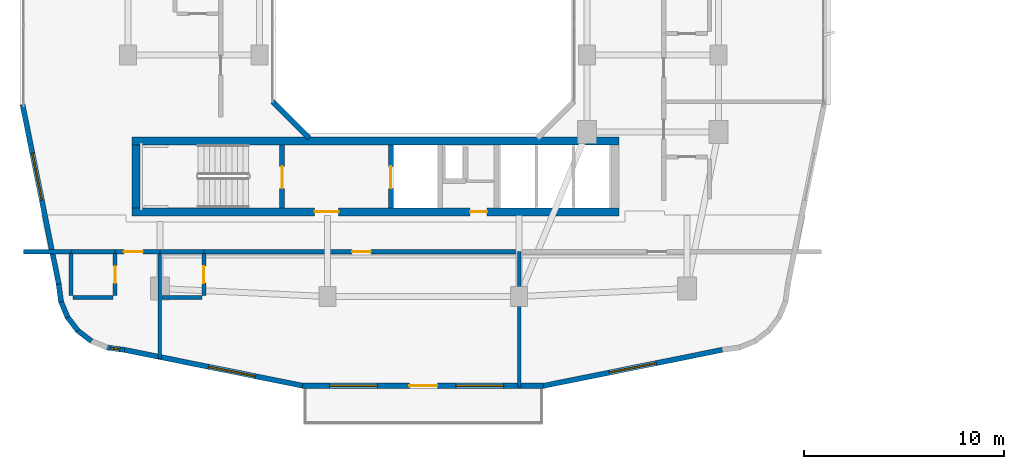
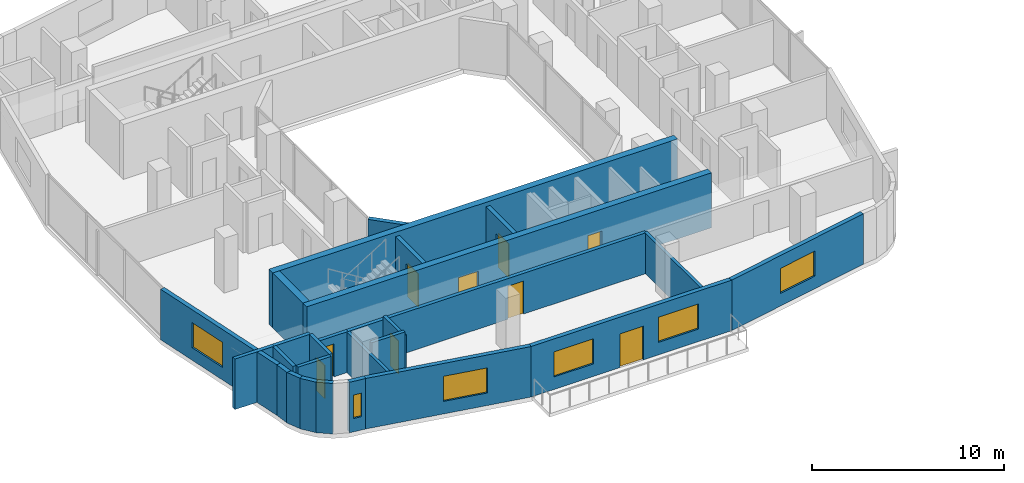
# One storey, part 11 of 26: 27 walls, 9 doors, 6 windows, 15 openings.
"""IFC4 building model written with IfcOpenShell, lengths in metres."""

from ifc_helpers import new_model, si_unit, derived_unit, direction, frame, frame_2d, origin, place, context, subcontext, project, spatial, rectangle, extrude, material, layer, layer_set, type_object, element, fill, save


model = new_model("IFC4")

# Units and contexts
model_context = context("Model", 3, precision=1e-05, world=origin(), true_north=direction((0.0, 1.0)))
body_context = subcontext(model_context, "Body", "Model", "MODEL_VIEW")
ifc_project = project(units=[si_unit("LENGTHUNIT", "METRE"), si_unit("AREAUNIT", "SQUARE_METRE"), si_unit("VOLUMEUNIT", "CUBIC_METRE"), si_unit("PLANEANGLEUNIT", "RADIAN"), si_unit("MASSUNIT", "GRAM", prefix="KILO"), derived_unit("THERMALTRANSMITTANCEUNIT", [(si_unit("POWERUNIT", "WATT"), 1), (si_unit("LENGTHUNIT", "METRE"), -2), (si_unit("THERMODYNAMICTEMPERATUREUNIT", "KELVIN"), -1)])], contexts=[model_context])

# Site, building, storey
site_placement = place(None, origin())
site = spatial("IfcSite", under=ifc_project, at=site_placement, CompositionType="ELEMENT")
building_placement = place(site_placement, origin())
building = spatial("IfcBuilding", under=site, at=building_placement, Name="Kivonza Crest Hotel", CompositionType="ELEMENT")
storey_placement = place(building_placement, frame((0.0, 0.0, 95.0)))
storey = spatial("IfcBuildingStorey", under=building, at=storey_placement, Name="L25", CompositionType="ELEMENT", Elevation=95.0)

# Walls
ifc_material_1 = material(Name="High-density acoustic masonry inter-tenancy wall", Category="masonry")
ifc_layer_1 = layer(ifc_material_1, 0.179931640625)
ifc_layer_set_1 = layer_set([ifc_layer_1], Name="High-density acoustic masonry inter-tenancy wall")
wall_type_1 = type_object("IfcWallType", Name="WL-ACOU-180", PredefinedType="SOLIDWALL", material=ifc_layer_set_1)
wall_1_placement = place(storey_placement, frame((7.800048828125, 6.299072265625, 0.0), z_axis=(0.0, 0.0, 1.0), x_axis=(0.0, 1.0, 0.0)))
element("IfcWall", 1, at=wall_1_placement, inside=storey, type_object=wall_type_1, Name="L25 interior partition WA-L25-T1S-DIV1", PredefinedType="SOLIDWALL", context=body_context, shape_type="SweptSolid", body=[
    extrude(rectangle(XDim=5.350830078125, YDim=0.179931640625, at=frame_2d((2.67529296875, 0.0))), origin(), (0.0, 0.0, 1.0), 2.594970703125),
])
wall_2_placement = place(storey_placement, frame((25.800048828125, 4.860107421875, 0.0), z_axis=(0.0, 0.0, 1.0), x_axis=(0.0, 1.0, 0.0)))
element("IfcWall", 2, at=wall_2_placement, inside=storey, type_object=wall_type_1, Name="L25 interior partition WA-L25-T1S-DIV2", PredefinedType="SOLIDWALL", context=body_context, shape_type="SweptSolid", body=[
    extrude(rectangle(XDim=6.789794921875, YDim=0.179931640625, at=frame_2d((3.39501953125, 0.0))), origin(), (0.0, 0.0, 1.0), 2.594970703125),
])
ifc_material_2 = material(Name="Autoclaved aerated concrete blockwork", Category="masonry")
ifc_layer_2 = layer(ifc_material_2, 0.219970703125)
ifc_layer_set_2 = layer_set([ifc_layer_2], Name="Autoclaved aerated concrete blockwork")
wall_type_2 = type_object("IfcWallType", Name="WL-ACOU-220", PredefinedType="SOLIDWALL", material=ifc_layer_set_2)
wall_3_placement = place(storey_placement, frame((0.9599609375, 11.64990234375, 0.0), z_axis=(0.0, 0.0, 1.0), x_axis=(1.0, 0.0, 0.0)))
element("IfcWall", 3, at=wall_3_placement, inside=storey, type_object=wall_type_2, Name="L25 interior partition WA-L25-S04-XCORR", PredefinedType="SOLIDWALL", context=body_context, shape_type="SweptSolid", body=[
    extrude(rectangle(XDim=2.39013671875, YDim=0.219970703125, at=frame_2d((1.195068359375, 0.0))), origin(), (0.0, 0.0, 1.0), 3.219970703125),
])
wall_4_placement = place(storey_placement, frame((3.35009765625, 11.64990234375, 0.0), z_axis=(0.0, 0.0, 1.0), x_axis=(1.0, 0.0, 0.0)))
element("IfcWall", 4, at=wall_4_placement, inside=storey, type_object=wall_type_2, Name="L25 interior partition WA-L25-S04-BCORR", PredefinedType="SOLIDWALL", context=body_context, shape_type="SweptSolid", body=[
    extrude(rectangle(XDim=2.199951171875, YDim=0.219970703125, at=frame_2d((1.10009765625, 0.0))), origin(), (0.0, 0.0, 1.0), 3.219970703125),
])

# Wall, opening, door
wall_5_placement = place(storey_placement, frame((5.550048828125, 11.64990234375, 0.0), z_axis=(0.0, 0.0, 1.0), x_axis=(1.0, 0.0, 0.0)))
wall_5 = element("IfcWall", 5, at=wall_5_placement, inside=storey, type_object=wall_type_2, Name="L25 interior partition WA-L25-S04-MCORR", PredefinedType="SOLIDWALL", context=body_context, shape_type="SweptSolid", body=[
    extrude(rectangle(XDim=2.25, YDim=0.219970703125, at=frame_2d((1.125, 0.0))), origin(), (0.0, 0.0, 1.0), 2.594970703125),
])
opening_1_placement = place(wall_5_placement, frame((0.43994140625, 0.0, 0.0)))
opening_1 = element("IfcOpeningElement", 6, at=opening_1_placement, cuts=wall_5, Name="Opening DU-60", PredefinedType="OPENING", context=body_context, shape_type="SweptSolid", body=[
    extrude(rectangle(XDim=0.949951171875, YDim=2.10009765625, at=frame_2d((0.47509765625, 1.050048828125))), frame((0.0, 0.1201171875, 0.0), z_axis=(0.0, -1.0, 0.0), x_axis=(1.0, 0.0, 0.0)), (0.0, 0.0, 1.0), 0.239990234375),
])
ifc_material_3 = material(Name="Hardwood timber oak", Category="wood")
door_type_1 = type_object("IfcDoorType", Name="DR-UNIT-950", OperationType="NOTDEFINED", PredefinedType="DOOR", material=ifc_material_3)
door_1_placement = place(opening_1_placement, frame((0.949951171875, 0.0, 0.0), z_axis=(0.0, 0.0, 1.0), x_axis=(-1.0, 0.0, 0.0)))
door_1 = element("IfcDoor", 7, at=door_1_placement, inside=storey, type_object=door_type_1, Name="L25 S04 guest unit entrance fire door", OperationType="SINGLE_SWING_RIGHT", OverallHeight=2.10009765625, OverallWidth=0.949951171875, PredefinedType="DOOR", context=body_context, shape_type="SweptSolid", body=[
    extrude(rectangle(XDim=0.949951171875, YDim=2.10009765625, at=frame_2d((0.47509765625, 1.050048828125))), frame((0.0, 0.02490234375, 0.0), z_axis=(0.0, -1.0, 0.0), x_axis=(1.0, 0.0, 0.0)), (0.0, 0.0, 1.0), 0.050048828125),
])
fill(opening_1, door_1)

# Wall
wall_6_placement = place(storey_placement, frame((7.800048828125, 11.64990234375, 0.0), z_axis=(0.0, 0.0, 1.0), x_axis=(1.0, 0.0, 0.0)))
element("IfcWall", 8, at=wall_6_placement, inside=storey, type_object=wall_type_2, Name="L25 interior partition WA-L25-S05-BCORR", PredefinedType="SOLIDWALL", context=body_context, shape_type="SweptSolid", body=[
    extrude(rectangle(XDim=2.199951171875, YDim=0.219970703125, at=frame_2d((1.10009765625, 0.0))), origin(), (0.0, 0.0, 1.0), 2.594970703125),
])

# Wall, opening, door
wall_7_placement = place(storey_placement, frame((10.0, 11.64990234375, 0.0), z_axis=(0.0, 0.0, 1.0), x_axis=(1.0, 0.0, 0.0)))
wall_7 = element("IfcWall", 9, at=wall_7_placement, inside=storey, type_object=wall_type_2, Name="L25 interior partition WA-L25-S05-MCORR", PredefinedType="SOLIDWALL", context=body_context, shape_type="SweptSolid", body=[
    extrude(rectangle(XDim=15.800048828125, YDim=0.219970703125, at=frame_2d((7.89990234375, 0.0))), origin(), (0.0, 0.0, 1.0), 2.594970703125),
])
opening_2_placement = place(wall_7_placement, frame((7.425048828125, 0.0, 0.0)))
opening_2 = element("IfcOpeningElement", 10, at=opening_2_placement, cuts=wall_7, Name="Opening DU-60", PredefinedType="OPENING", context=body_context, shape_type="SweptSolid", body=[
    extrude(rectangle(XDim=0.949951171875, YDim=2.10009765625, at=frame_2d((0.47509765625, 1.050048828125))), frame((0.0, 0.1201171875, 0.0), z_axis=(0.0, -1.0, 0.0), x_axis=(1.0, 0.0, 0.0)), (0.0, 0.0, 1.0), 0.239990234375),
])
door_2_placement = place(opening_2_placement, frame((0.949951171875, 0.0, 0.0), z_axis=(0.0, 0.0, 1.0), x_axis=(-1.0, 0.0, 0.0)))
door_2 = element("IfcDoor", 11, at=door_2_placement, inside=storey, type_object=door_type_1, Name="L25 S05 guest unit entrance fire door", OperationType="SINGLE_SWING_LEFT", OverallHeight=2.10009765625, OverallWidth=0.949951171875, PredefinedType="DOOR", context=body_context, shape_type="SweptSolid", body=[
    extrude(rectangle(XDim=0.949951171875, YDim=2.10009765625, at=frame_2d((0.47509765625, 1.050048828125))), frame((0.0, 0.02490234375, 0.0), z_axis=(0.0, -1.0, 0.0), x_axis=(1.0, 0.0, 0.0)), (0.0, 0.0, 1.0), 0.050048828125),
])
fill(opening_2, door_2)

# Wall, openings, doors
ifc_material_4 = material(Name="Concrete C50/60", Category="concrete")
ifc_layer_3 = layer(ifc_material_4, 0.39990234375)
ifc_layer_set_3 = layer_set([ifc_layer_3], Name="Concrete C50/60")
wall_type_3 = type_object("IfcWallType", Name="WL-CORE-400", PredefinedType="SHEAR", material=ifc_layer_set_3)
wall_8_placement = place(storey_placement, frame((6.39990234375, 13.639892578125, 0.0), z_axis=(0.0, 0.0, 1.0), x_axis=(1.0, 0.0, 0.0)))
wall_8 = element("IfcWall", 12, at=wall_8_placement, inside=storey, type_object=wall_type_3, Name="Core wall T1-S South L25", PredefinedType="SHEAR", context=body_context, shape_type="SweptSolid", body=[
    extrude(rectangle(XDim=24.400146484375, YDim=0.39990234375, at=frame_2d((12.2001953125, 0.0))), origin(), (0.0, 0.0, 1.0), 3.5),
])
opening_3_placement = place(wall_8_placement, frame((9.14990234375, 0.0, 0.0)))
opening_3 = element("IfcOpeningElement", 13, at=opening_3_placement, cuts=wall_8, Name="Opening DF-60", PredefinedType="OPENING", context=body_context, shape_type="SweptSolid", body=[
    extrude(rectangle(XDim=1.199951171875, YDim=2.14990234375, at=frame_2d((0.60009765625, 1.074951171875))), frame((0.0, 0.2099609375, 0.0), z_axis=(0.0, -1.0, 0.0), x_axis=(1.0, 0.0, 0.0)), (0.0, 0.0, 1.0), 0.419921875),
])
opening_4_placement = place(wall_8_placement, frame((16.93994140625, 0.0, 0.0)))
opening_4 = element("IfcOpeningElement", 14, at=opening_4_placement, cuts=wall_8, Name="Opening DF-60R", PredefinedType="OPENING", context=body_context, shape_type="SweptSolid", body=[
    extrude(rectangle(XDim=0.85009765625, YDim=2.10009765625, at=frame_2d((0.425048828125, 1.050048828125))), frame((0.0, 0.2099609375, 0.0), z_axis=(0.0, -1.0, 0.0), x_axis=(1.0, 0.0, 0.0)), (0.0, 0.0, 1.0), 0.419921875),
])
door_type_2 = type_object("IfcDoorType", Name="DR-FD60-1200", OperationType="NOTDEFINED", PredefinedType="DOOR", material=ifc_material_3)
door_3_placement = place(opening_3_placement, frame((1.199951171875, 0.0, 0.0), z_axis=(0.0, 0.0, 1.0), x_axis=(-1.0, 0.0, 0.0)))
door_3 = element("IfcDoor", 15, at=door_3_placement, inside=storey, type_object=door_type_2, Name="L25 T1-S firefighting lobby fire door", OperationType="SINGLE_SWING_LEFT", OverallHeight=2.14990234375, OverallWidth=1.199951171875, PredefinedType="DOOR", context=body_context, shape_type="SweptSolid", body=[
    extrude(rectangle(XDim=1.199951171875, YDim=2.14990234375, at=frame_2d((0.60009765625, 1.074951171875))), frame((0.0, 0.02490234375, 0.0), z_axis=(0.0, -1.0, 0.0), x_axis=(1.0, 0.0, 0.0)), (0.0, 0.0, 1.0), 0.050048828125),
])
fill(opening_3, door_3)
door_type_3 = type_object("IfcDoorType", Name="DR-FD60-850", OperationType="NOTDEFINED", PredefinedType="DOOR", material=ifc_material_3)
door_4_placement = place(opening_4_placement, frame((0.85009765625, 0.0, 0.0), z_axis=(0.0, 0.0, 1.0), x_axis=(-1.0, 0.0, 0.0)))
door_4 = element("IfcDoor", 16, at=door_4_placement, inside=storey, type_object=door_type_3, Name="L25 T1-S core room door", OperationType="SINGLE_SWING_RIGHT", OverallHeight=2.10009765625, OverallWidth=0.85009765625, PredefinedType="DOOR", context=body_context, shape_type="SweptSolid", body=[
    extrude(rectangle(XDim=0.85009765625, YDim=2.10009765625, at=frame_2d((0.425048828125, 1.050048828125))), frame((0.0, 0.02490234375, 0.0), z_axis=(0.0, -1.0, 0.0), x_axis=(1.0, 0.0, 0.0)), (0.0, 0.0, 1.0), 0.050048828125),
])
fill(opening_4, door_4)

# Walls
wall_9_placement = place(storey_placement, frame((6.39990234375, 17.199951171875, 0.0), z_axis=(0.0, 0.0, 1.0), x_axis=(1.0, 0.0, 0.0)))
element("IfcWall", 17, at=wall_9_placement, inside=storey, type_object=wall_type_3, Name="Core wall T1-S North L25", PredefinedType="SHEAR", context=body_context, shape_type="SweptSolid", body=[
    extrude(rectangle(XDim=24.400146484375, YDim=0.39990234375, at=frame_2d((12.2001953125, 0.0))), origin(), (0.0, 0.0, 1.0), 3.5),
])
wall_10_placement = place(storey_placement, frame((6.60009765625, 13.840087890625, 0.0), z_axis=(0.0, 0.0, 1.0), x_axis=(0.0, 1.0, 0.0)))
element("IfcWall", 18, at=wall_10_placement, inside=storey, type_object=wall_type_3, Name="Core wall T1-S West L25", PredefinedType="SHEAR", context=body_context, shape_type="SweptSolid", body=[
    extrude(rectangle(XDim=3.159912109375, YDim=0.39990234375, at=frame_2d((1.580078125, 0.0))), origin(), (0.0, 0.0, 1.0), 3.5),
])
ifc_material_5 = material(Name="Precast concrete C40/50", Category="concrete")
ifc_layer_4 = layer(ifc_material_5, 0.260009765625)
ifc_layer_set_4 = layer_set([ifc_layer_4], Name="Precast concrete C40/50")
wall_type_4 = type_object("IfcWallType", Name="WL-EXT-260", PredefinedType="STANDARD", material=ifc_layer_set_4)
wall_11_placement = place(storey_placement, frame((2.72802734375, 10.02490234375, 0.0), z_axis=(0.0, 0.0, 1.0), x_axis=(0.130953706898, -0.991388484223, 0.0)))
element("IfcWall", 19, at=wall_11_placement, inside=storey, type_object=wall_type_4, Name="L25 T1 exterior insulated wall 1", PredefinedType="STANDARD", context=body_context, shape_type="SweptSolid", body=[
    extrude(rectangle(XDim=0.885498046875, YDim=0.260009765625, at=frame_2d((0.44287109375, 0.0))), origin(), (0.0, 0.0, 1.0), 3.219970703125),
])
wall_12_placement = place(storey_placement, frame((2.825927734375, 9.193115234375, 0.0), z_axis=(0.0, 0.0, 1.0), x_axis=(0.383290660547, -0.923627776508, 0.0)))
element("IfcWall", 20, at=wall_12_placement, inside=storey, type_object=wall_type_4, Name="L25 T1 exterior insulated wall 2", PredefinedType="STANDARD", context=body_context, shape_type="SweptSolid", body=[
    extrude(rectangle(XDim=0.9033203125, YDim=0.260009765625, at=frame_2d((0.45166015625, 0.0))), origin(), (0.0, 0.0, 1.0), 3.219970703125),
])
wall_13_placement = place(storey_placement, frame((3.14404296875, 8.39892578125, 0.0), z_axis=(0.0, 0.0, 1.0), x_axis=(0.608624690463, -0.793458244748, 0.0)))
element("IfcWall", 21, at=wall_13_placement, inside=storey, type_object=wall_type_4, Name="L25 T1 exterior insulated wall 3", PredefinedType="STANDARD", context=body_context, shape_type="SweptSolid", body=[
    extrude(rectangle(XDim=0.902099609375, YDim=0.260009765625, at=frame_2d((0.451171875, 0.0))), origin(), (0.0, 0.0, 1.0), 3.219970703125),
])
wall_14_placement = place(storey_placement, frame((3.655029296875, 7.714111328125, 0.0), z_axis=(0.0, 0.0, 1.0), x_axis=(0.793558456666, -0.608494022858, 0.0)))
element("IfcWall", 22, at=wall_14_placement, inside=storey, type_object=wall_type_4, Name="L25 T1 exterior insulated wall 4", PredefinedType="STANDARD", context=body_context, shape_type="SweptSolid", body=[
    extrude(rectangle(XDim=0.90234375, YDim=0.260009765625, at=frame_2d((0.451171875, 0.0))), origin(), (0.0, 0.0, 1.0), 3.219970703125),
])

# Wall, opening, window
wall_15_placement = place(storey_placement, frame((5.112060546875, 6.847900390625, 0.0), z_axis=(0.0, 0.0, 1.0), x_axis=(0.991487658083, -0.130200706103, 0.0)))
wall_15 = element("IfcWall", 23, at=wall_15_placement, inside=storey, type_object=wall_type_4, Name="L25 T1 exterior insulated wall 6", PredefinedType="STANDARD", context=body_context, shape_type="SweptSolid", body=[
    extrude(rectangle(XDim=0.920654296875, YDim=0.260009765625, at=frame_2d((0.46044921875, 0.0))), origin(), (0.0, 0.0, 1.0), 3.219970703125),
])
opening_5_placement = place(wall_15_placement, frame((0.235107421875, 0.0, 0.85009765625)))
opening_5 = element("IfcOpeningElement", 24, at=opening_5_placement, cuts=wall_15, Name="Opening WN-11", PredefinedType="OPENING", context=body_context, shape_type="SweptSolid", body=[
    extrude(rectangle(XDim=0.449951171875, YDim=1.5, at=frame_2d((0.22509765625, 0.75))), frame((0.0, 0.14013671875, 0.0), z_axis=(0.0, -1.0, 0.0), x_axis=(1.0, 0.0, 0.0)), (0.0, 0.0, 1.0), 0.280029296875),
])
ifc_material_6 = material(Name="Thermally broken bronze aluminium and low-E double glazing", Category="aluminium")
window_type_1 = type_object("IfcWindowType", Name="WN-045x150", PartitioningType="SINGLE_PANEL", PredefinedType="WINDOW", material=ifc_material_6)
window_1_placement = place(opening_5_placement, origin())
window_1 = element("IfcWindow", 25, at=window_1_placement, inside=storey, type_object=window_type_1, Name="L25 corner vision window 2", OverallHeight=1.5, OverallWidth=0.449951171875, PartitioningType="SINGLE_PANEL", PredefinedType="WINDOW", context=body_context, shape_type="SweptSolid", body=[
    extrude(rectangle(XDim=0.449951171875, YDim=1.5, at=frame_2d((0.22509765625, 0.75))), frame((0.0, 0.030029296875, 0.0), z_axis=(0.0, -1.0, 0.0), x_axis=(1.0, 0.0, 0.0)), (0.0, 0.0, 1.0), 0.06005859375),
])
fill(opening_5, window_1)

wall_16_placement = place(storey_placement, frame((6.01806640625, 6.72900390625, 0.0), z_axis=(0.0, 0.0, 1.0), x_axis=(0.980317172899, -0.197429077186, 0.0)))
wall_16 = element("IfcWall", 26, at=wall_16_placement, inside=storey, type_object=wall_type_4, Name="L25 T1 exterior insulated wall 7", PredefinedType="STANDARD", context=body_context, shape_type="SweptSolid", body=[
    extrude(rectangle(XDim=9.117431640625, YDim=0.260009765625, at=frame_2d((4.55859375, 0.0))), origin(), (0.0, 0.0, 1.0), 3.219970703125),
])
opening_6_placement = place(wall_16_placement, frame((4.304931640625, 0.0, 0.800048828125)))
opening_6 = element("IfcOpeningElement", 27, at=opening_6_placement, cuts=wall_16, Name="Opening WN-05", PredefinedType="OPENING", context=body_context, shape_type="SweptSolid", body=[
    extrude(rectangle(XDim=2.39990234375, YDim=1.60009765625, at=frame_2d((1.199951171875, 0.800048828125))), frame((0.0, 0.14013671875, 0.0), z_axis=(0.0, -1.0, 0.0), x_axis=(1.0, 0.0, 0.0)), (0.0, 0.0, 1.0), 0.280029296875),
])
window_type_2 = type_object("IfcWindowType", Name="WN-240x160", PartitioningType="TRIPLE_PANEL_VERTICAL", PredefinedType="WINDOW", material=ifc_material_6)
window_2_placement = place(opening_6_placement, origin())
window_2 = element("IfcWindow", 28, at=window_2_placement, inside=storey, type_object=window_type_2, Name="L25 T1 facade window 7", OverallHeight=1.60009765625, OverallWidth=2.39990234375, PartitioningType="SINGLE_PANEL", PredefinedType="WINDOW", context=body_context, shape_type="SweptSolid", body=[
    extrude(rectangle(XDim=2.39990234375, YDim=1.60009765625, at=frame_2d((1.199951171875, 0.800048828125))), frame((0.0, 0.030029296875, 0.0), z_axis=(0.0, -1.0, 0.0), x_axis=(1.0, 0.0, 0.0)), (0.0, 0.0, 1.0), 0.06005859375),
])
fill(opening_6, window_2)

# Wall, openings, door, windows
wall_17_placement = place(storey_placement, frame((14.9150390625, 4.929931640625, 0.0), z_axis=(0.0, 0.0, 1.0), x_axis=(1.0, 0.0, 0.0)))
wall_17 = element("IfcWall", 29, at=wall_17_placement, inside=storey, type_object=wall_type_4, Name="L25 T1 exterior insulated wall 8", PredefinedType="STANDARD", context=body_context, shape_type="SweptSolid", body=[
    extrude(rectangle(XDim=12.135009765625, YDim=0.260009765625, at=frame_2d((6.0673828125, 0.0))), origin(), (0.0, 0.0, 1.0), 3.219970703125),
])
opening_7_placement = place(wall_17_placement, frame((5.385009765625, 0.0, 0.0)))
opening_7 = element("IfcOpeningElement", 30, at=opening_7_placement, cuts=wall_17, Name="Opening DT-140", PredefinedType="OPENING", context=body_context, shape_type="SweptSolid", body=[
    extrude(rectangle(XDim=1.39990234375, YDim=2.14990234375, at=frame_2d((0.699951171875, 1.074951171875))), frame((0.0, 0.14013671875, 0.0), z_axis=(0.0, -1.0, 0.0), x_axis=(1.0, 0.0, 0.0)), (0.0, 0.0, 1.0), 0.280029296875),
])
opening_8_placement = place(wall_17_placement, frame((1.386962890625, 0.0, 0.800048828125)))
opening_8 = element("IfcOpeningElement", 31, at=opening_8_placement, cuts=wall_17, Name="Opening WN-05", PredefinedType="OPENING", context=body_context, shape_type="SweptSolid", body=[
    extrude(rectangle(XDim=2.39990234375, YDim=1.60009765625, at=frame_2d((1.199951171875, 0.800048828125))), frame((0.0, 0.14013671875, 0.0), z_axis=(0.0, -1.0, 0.0), x_axis=(1.0, 0.0, 0.0)), (0.0, 0.0, 1.0), 0.280029296875),
])
opening_9_placement = place(wall_17_placement, frame((7.7099609375, 0.0, 0.800048828125)))
opening_9 = element("IfcOpeningElement", 32, at=opening_9_placement, cuts=wall_17, Name="Opening WN-05", PredefinedType="OPENING", context=body_context, shape_type="SweptSolid", body=[
    extrude(rectangle(XDim=2.39990234375, YDim=1.60009765625, at=frame_2d((1.199951171875, 0.800048828125))), frame((0.0, 0.14013671875, 0.0), z_axis=(0.0, -1.0, 0.0), x_axis=(1.0, 0.0, 0.0)), (0.0, 0.0, 1.0), 0.280029296875),
])
ifc_material_7 = material(Name="Anodised bronze aluminium and laminated safety glass", Category="aluminium")
door_type_4 = type_object("IfcDoorType", Name="DR-TERR-1400", OperationType="NOTDEFINED", PredefinedType="DOOR", material=ifc_material_7)
door_5_placement = place(opening_7_placement, frame((1.39990234375, 0.0, 0.0), z_axis=(0.0, 0.0, 1.0), x_axis=(-1.0, 0.0, 0.0)))
door_5 = element("IfcDoor", 33, at=door_5_placement, inside=storey, type_object=door_type_4, Name="L25 South setback terrace door", OperationType="DOUBLE_DOOR_SINGLE_SWING", OverallHeight=2.14990234375, OverallWidth=1.39990234375, PredefinedType="DOOR", context=body_context, shape_type="SweptSolid", body=[
    extrude(rectangle(XDim=1.39990234375, YDim=2.14990234375, at=frame_2d((0.699951171875, 1.074951171875))), frame((0.0, 0.02490234375, 0.0), z_axis=(0.0, -1.0, 0.0), x_axis=(1.0, 0.0, 0.0)), (0.0, 0.0, 1.0), 0.050048828125),
])
fill(opening_7, door_5)
window_3_placement = place(opening_8_placement, origin())
window_3 = element("IfcWindow", 34, at=window_3_placement, inside=storey, type_object=window_type_2, Name="L25 T1 facade window 8 bay 1", OverallHeight=1.60009765625, OverallWidth=2.39990234375, PartitioningType="SINGLE_PANEL", PredefinedType="WINDOW", context=body_context, shape_type="SweptSolid", body=[
    extrude(rectangle(XDim=2.39990234375, YDim=1.60009765625, at=frame_2d((1.199951171875, 0.800048828125))), frame((0.0, 0.030029296875, 0.0), z_axis=(0.0, -1.0, 0.0), x_axis=(1.0, 0.0, 0.0)), (0.0, 0.0, 1.0), 0.06005859375),
])
fill(opening_8, window_3)
window_4_placement = place(opening_9_placement, origin())
window_4 = element("IfcWindow", 35, at=window_4_placement, inside=storey, type_object=window_type_2, Name="L25 T1 facade window 8 bay 2", OverallHeight=1.60009765625, OverallWidth=2.39990234375, PartitioningType="SINGLE_PANEL", PredefinedType="WINDOW", context=body_context, shape_type="SweptSolid", body=[
    extrude(rectangle(XDim=2.39990234375, YDim=1.60009765625, at=frame_2d((1.199951171875, 0.800048828125))), frame((0.0, 0.030029296875, 0.0), z_axis=(0.0, -1.0, 0.0), x_axis=(1.0, 0.0, 0.0)), (0.0, 0.0, 1.0), 0.06005859375),
])
fill(opening_9, window_4)

# Wall, opening, window
wall_18_placement = place(storey_placement, frame((27.009033203125, 4.922119140625, 0.0), z_axis=(0.0, 0.0, 1.0), x_axis=(0.980321298532, 0.197408590603, 0.0)))
wall_18 = element("IfcWall", 36, at=wall_18_placement, inside=storey, type_object=wall_type_4, Name="L25 T1 exterior insulated wall 9", PredefinedType="STANDARD", context=body_context, shape_type="SweptSolid", body=[
    extrude(rectangle(XDim=9.153076171875, YDim=0.260009765625, at=frame_2d((4.57666015625, 0.0))), origin(), (0.0, 0.0, 1.0), 3.219970703125),
])
opening_10_placement = place(wall_18_placement, frame((3.376953125, 0.0, 0.800048828125)))
opening_10 = element("IfcOpeningElement", 37, at=opening_10_placement, cuts=wall_18, Name="Opening WN-05", PredefinedType="OPENING", context=body_context, shape_type="SweptSolid", body=[
    extrude(rectangle(XDim=2.39990234375, YDim=1.60009765625, at=frame_2d((1.199951171875, 0.800048828125))), frame((0.0, 0.14013671875, 0.0), z_axis=(0.0, -1.0, 0.0), x_axis=(1.0, 0.0, 0.0)), (0.0, 0.0, 1.0), 0.280029296875),
])
window_5_placement = place(opening_10_placement, origin())
window_5 = element("IfcWindow", 38, at=window_5_placement, inside=storey, type_object=window_type_2, Name="L25 T1 facade window 9", OverallHeight=1.60009765625, OverallWidth=2.39990234375, PartitioningType="SINGLE_PANEL", PredefinedType="WINDOW", context=body_context, shape_type="SweptSolid", body=[
    extrude(rectangle(XDim=2.39990234375, YDim=1.60009765625, at=frame_2d((1.199951171875, 0.800048828125))), frame((0.0, 0.030029296875, 0.0), z_axis=(0.0, -1.0, 0.0), x_axis=(1.0, 0.0, 0.0)), (0.0, 0.0, 1.0), 0.06005859375),
])
fill(opening_10, window_5)

wall_19_placement = place(storey_placement, frame((0.916015625, 19.02001953125, 0.0), z_axis=(0.0, 0.0, 1.0), x_axis=(0.197435082048, -0.980315963543, 0.0)))
wall_19 = element("IfcWall", 39, at=wall_19_placement, inside=storey, type_object=wall_type_4, Name="L25 T1 exterior insulated wall 36", PredefinedType="STANDARD", context=body_context, shape_type="SweptSolid", body=[
    extrude(rectangle(XDim=9.1826171875, YDim=0.260009765625, at=frame_2d((4.59130859375, 0.0))), origin(), (0.0, 0.0, 1.0), 3.219970703125),
])
opening_11_placement = place(wall_19_placement, frame((2.4970703125, 0.0, 0.800048828125)))
opening_11 = element("IfcOpeningElement", 40, at=opening_11_placement, cuts=wall_19, Name="Opening WN-05", PredefinedType="OPENING", context=body_context, shape_type="SweptSolid", body=[
    extrude(rectangle(XDim=2.39990234375, YDim=1.60009765625, at=frame_2d((1.199951171875, 0.800048828125))), frame((0.0, 0.14013671875, 0.0), z_axis=(0.0, -1.0, 0.0), x_axis=(1.0, 0.0, 0.0)), (0.0, 0.0, 1.0), 0.280029296875),
])
window_6_placement = place(opening_11_placement, origin())
window_6 = element("IfcWindow", 41, at=window_6_placement, inside=storey, type_object=window_type_2, Name="L25 T1 facade window 36", OverallHeight=1.60009765625, OverallWidth=2.39990234375, PartitioningType="SINGLE_PANEL", PredefinedType="WINDOW", context=body_context, shape_type="SweptSolid", body=[
    extrude(rectangle(XDim=2.39990234375, YDim=1.60009765625, at=frame_2d((1.199951171875, 0.800048828125))), frame((0.0, 0.030029296875, 0.0), z_axis=(0.0, -1.0, 0.0), x_axis=(1.0, 0.0, 0.0)), (0.0, 0.0, 1.0), 0.06005859375),
])
fill(opening_11, window_6)

# Wall
wall_20_placement = place(storey_placement, frame((13.444091796875, 19.172119140625, 0.0), z_axis=(0.0, 0.0, 1.0), x_axis=(0.707059717605, -0.707153841636, 0.0)))
element("IfcWall", 42, at=wall_20_placement, inside=storey, type_object=wall_type_4, Name="L25 T1 light-well exterior wall 8", PredefinedType="STANDARD", context=body_context, shape_type="SweptSolid", body=[
    extrude(rectangle(XDim=2.59375, YDim=0.260009765625, at=frame_2d((1.296875, 0.0))), origin(), (0.0, 0.0, 1.0), 3.219970703125),
])

# Wall, opening, door
ifc_material_8 = material(Name="Moisture-resistant plumbing chase partition wall", Category="gypsum")
ifc_layer_5 = layer(ifc_material_8, 0.199951171875)
ifc_layer_set_5 = layer_set([ifc_layer_5], Name="Moisture-resistant plumbing chase partition wall")
wall_type_5 = type_object("IfcWallType", Name="WL-PLUMB-200", PredefinedType="PLUMBINGWALL", material=ifc_layer_set_5)
wall_21_placement = place(storey_placement, frame((5.550048828125, 9.449951171875, 0.0), z_axis=(0.0, 0.0, 1.0), x_axis=(0.0, 1.0, 0.0)))
wall_21 = element("IfcWall", 43, at=wall_21_placement, inside=storey, type_object=wall_type_5, Name="L25 interior partition WW-L25-S04-BV", PredefinedType="PLUMBINGWALL", context=body_context, shape_type="SweptSolid", body=[
    extrude(rectangle(XDim=2.10009765625, YDim=0.199951171875, at=frame_2d((1.050048828125, 0.0))), origin(), (0.0, 0.0, 1.0), 3.219970703125),
])
opening_12_placement = place(wall_21_placement, frame((0.625, 0.0, 0.0)))
opening_12 = element("IfcOpeningElement", 44, at=opening_12_placement, cuts=wall_21, Name="Opening DI-85", PredefinedType="OPENING", context=body_context, shape_type="SweptSolid", body=[
    extrude(rectangle(XDim=0.85009765625, YDim=2.10009765625, at=frame_2d((0.425048828125, 1.050048828125))), frame((0.0, 0.10986328125, 0.0), z_axis=(0.0, -1.0, 0.0), x_axis=(1.0, 0.0, 0.0)), (0.0, 0.0, 1.0), 0.219970703125),
])
door_type_5 = type_object("IfcDoorType", Name="DR-INT-850", OperationType="NOTDEFINED", PredefinedType="DOOR", material=ifc_material_3)
door_6_placement = place(opening_12_placement, frame((0.85009765625, 0.0, 0.0), z_axis=(0.0, 0.0, 1.0), x_axis=(-1.0, 0.0, 0.0)))
door_6 = element("IfcDoor", 45, at=door_6_placement, inside=storey, type_object=door_type_5, Name="L25 S04 en-suite bathroom door", OperationType="SINGLE_SWING_LEFT", OverallHeight=2.10009765625, OverallWidth=0.85009765625, PredefinedType="DOOR", context=body_context, shape_type="SweptSolid", body=[
    extrude(rectangle(XDim=0.85009765625, YDim=2.10009765625, at=frame_2d((0.425048828125, 1.050048828125))), frame((0.0, 0.02490234375, 0.0), z_axis=(0.0, -1.0, 0.0), x_axis=(1.0, 0.0, 0.0)), (0.0, 0.0, 1.0), 0.050048828125),
])
fill(opening_12, door_6)

# Walls
wall_22_placement = place(storey_placement, frame((3.449951171875, 9.35009765625, 0.0), z_axis=(0.0, 0.0, 1.0), x_axis=(1.0, 0.0, 0.0)))
element("IfcWall", 46, at=wall_22_placement, inside=storey, type_object=wall_type_5, Name="L25 interior partition WW-L25-S04-BH", PredefinedType="PLUMBINGWALL", context=body_context, shape_type="SweptSolid", body=[
    extrude(rectangle(XDim=2.0, YDim=0.199951171875, at=frame_2d((1.0, 0.0))), origin(), (0.0, 0.0, 1.0), 3.219970703125),
])
wall_23_placement = place(storey_placement, frame((3.35009765625, 9.449951171875, 0.0), z_axis=(0.0, 0.0, 1.0), x_axis=(0.0, 1.0, 0.0)))
element("IfcWall", 47, at=wall_23_placement, inside=storey, type_object=wall_type_5, Name="L25 interior partition WW-L25-S04-BVW", PredefinedType="PLUMBINGWALL", context=body_context, shape_type="SweptSolid", body=[
    extrude(rectangle(XDim=2.10009765625, YDim=0.199951171875, at=frame_2d((1.050048828125, 0.0))), origin(), (0.0, 0.0, 1.0), 3.219970703125),
])

# Wall, opening, door
wall_24_placement = place(storey_placement, frame((10.0, 9.449951171875, 0.0), z_axis=(0.0, 0.0, 1.0), x_axis=(0.0, 1.0, 0.0)))
wall_24 = element("IfcWall", 48, at=wall_24_placement, inside=storey, type_object=wall_type_5, Name="L25 interior partition WW-L25-S05-BV", PredefinedType="PLUMBINGWALL", context=body_context, shape_type="SweptSolid", body=[
    extrude(rectangle(XDim=2.10009765625, YDim=0.199951171875, at=frame_2d((1.050048828125, 0.0))), origin(), (0.0, 0.0, 1.0), 2.8349609375),
])
opening_13_placement = place(wall_24_placement, frame((0.625, 0.0, 0.0)))
opening_13 = element("IfcOpeningElement", 49, at=opening_13_placement, cuts=wall_24, Name="Opening DI-85", PredefinedType="OPENING", context=body_context, shape_type="SweptSolid", body=[
    extrude(rectangle(XDim=0.85009765625, YDim=2.10009765625, at=frame_2d((0.425048828125, 1.050048828125))), frame((0.0, 0.10986328125, 0.0), z_axis=(0.0, -1.0, 0.0), x_axis=(1.0, 0.0, 0.0)), (0.0, 0.0, 1.0), 0.219970703125),
])
door_7_placement = place(opening_13_placement, frame((0.85009765625, 0.0, 0.0), z_axis=(0.0, 0.0, 1.0), x_axis=(-1.0, 0.0, 0.0)))
door_7 = element("IfcDoor", 50, at=door_7_placement, inside=storey, type_object=door_type_5, Name="L25 S05 en-suite bathroom door", OperationType="SINGLE_SWING_RIGHT", OverallHeight=2.10009765625, OverallWidth=0.85009765625, PredefinedType="DOOR", context=body_context, shape_type="SweptSolid", body=[
    extrude(rectangle(XDim=0.85009765625, YDim=2.10009765625, at=frame_2d((0.425048828125, 1.050048828125))), frame((0.0, 0.02490234375, 0.0), z_axis=(0.0, -1.0, 0.0), x_axis=(1.0, 0.0, 0.0)), (0.0, 0.0, 1.0), 0.050048828125),
])
fill(opening_13, door_7)

# Wall
wall_25_placement = place(storey_placement, frame((7.89990234375, 9.35009765625, 0.0), z_axis=(0.0, 0.0, 1.0), x_axis=(1.0, 0.0, 0.0)))
element("IfcWall", 51, at=wall_25_placement, inside=storey, type_object=wall_type_5, Name="L25 interior partition WW-L25-S05-BH", PredefinedType="PLUMBINGWALL", context=body_context, shape_type="SweptSolid", body=[
    extrude(rectangle(XDim=2.0, YDim=0.199951171875, at=frame_2d((1.0, 0.0))), origin(), (0.0, 0.0, 1.0), 3.219970703125),
])

# Wall, opening, door
ifc_layer_6 = layer(ifc_material_4, 0.25)
ifc_layer_set_6 = layer_set([ifc_layer_6], Name="Concrete C50/60")
wall_type_6 = type_object("IfcWallType", Name="WL-SHAFT-250", PredefinedType="STANDARD", material=ifc_layer_set_6)
wall_26_placement = place(storey_placement, frame((13.925048828125, 13.840087890625, 0.0), z_axis=(0.0, 0.0, 1.0), x_axis=(0.0, 1.0, 0.0)))
wall_26 = element("IfcWall", 52, at=wall_26_placement, inside=storey, type_object=wall_type_6, Name="Core shaft wall T1-S STAIR L25", PredefinedType="STANDARD", context=body_context, shape_type="SweptSolid", body=[
    extrude(rectangle(XDim=3.159912109375, YDim=0.25, at=frame_2d((1.580078125, 0.0))), origin(), (0.0, 0.0, 1.0), 3.219970703125),
])
opening_14_placement = place(wall_26_placement, frame((0.97998046875, 0.0, 0.0)))
opening_14 = element("IfcOpeningElement", 53, at=opening_14_placement, cuts=wall_26, Name="Opening DF-120", PredefinedType="OPENING", context=body_context, shape_type="SweptSolid", body=[
    extrude(rectangle(XDim=1.10009765625, YDim=2.14990234375, at=frame_2d((0.550048828125, 1.074951171875))), frame((0.0, 0.135009765625, 0.0), z_axis=(0.0, -1.0, 0.0), x_axis=(1.0, 0.0, 0.0)), (0.0, 0.0, 1.0), 0.27001953125),
])
ifc_material_9 = material(Name="Galvanised steel", Category="steel")
door_type_6 = type_object("IfcDoorType", Name="DR-FD120-1100", OperationType="NOTDEFINED", PredefinedType="DOOR", material=ifc_material_9)
door_8_placement = place(opening_14_placement, frame((1.10009765625, 0.0, 0.0), z_axis=(0.0, 0.0, 1.0), x_axis=(-1.0, 0.0, 0.0)))
door_8 = element("IfcDoor", 54, at=door_8_placement, inside=storey, type_object=door_type_6, Name="L25 T1-S stair fire door", OperationType="SINGLE_SWING_RIGHT", OverallHeight=2.14990234375, OverallWidth=1.10009765625, PredefinedType="DOOR", context=body_context, shape_type="SweptSolid", body=[
    extrude(rectangle(XDim=1.10009765625, YDim=2.14990234375, at=frame_2d((0.550048828125, 1.074951171875))), frame((0.0, 0.02490234375, 0.0), z_axis=(0.0, -1.0, 0.0), x_axis=(1.0, 0.0, 0.0)), (0.0, 0.0, 1.0), 0.050048828125),
])
fill(opening_14, door_8)

wall_27_placement = place(storey_placement, frame((19.375, 13.840087890625, 0.0), z_axis=(0.0, 0.0, 1.0), x_axis=(0.0, 1.0, 0.0)))
wall_27 = element("IfcWall", 55, at=wall_27_placement, inside=storey, type_object=wall_type_6, Name="Core shaft wall T1-S FFL-W L25", PredefinedType="STANDARD", context=body_context, shape_type="SweptSolid", body=[
    extrude(rectangle(XDim=3.159912109375, YDim=0.25, at=frame_2d((1.580078125, 0.0))), origin(), (0.0, 0.0, 1.0), 3.219970703125),
])
opening_15_placement = place(wall_27_placement, frame((0.97998046875, 0.0, 0.0)))
opening_15 = element("IfcOpeningElement", 56, at=opening_15_placement, cuts=wall_27, Name="Opening LD-120", PredefinedType="OPENING", context=body_context, shape_type="SweptSolid", body=[
    extrude(rectangle(XDim=1.10009765625, YDim=2.14990234375, at=frame_2d((0.550048828125, 1.074951171875))), frame((0.0, 0.135009765625, 0.0), z_axis=(0.0, -1.0, 0.0), x_axis=(1.0, 0.0, 0.0)), (0.0, 0.0, 1.0), 0.27001953125),
])
ifc_material_10 = material(Name="Stainless steel", Category="steel")
door_type_7 = type_object("IfcDoorType", Name="DR-LD120-1100", OperationType="NOTDEFINED", PredefinedType="DOOR", material=ifc_material_10)
door_9_placement = place(opening_15_placement, origin())
door_9 = element("IfcDoor", 57, at=door_9_placement, inside=storey, type_object=door_type_7, Name="L25 FFL-T1-S firefighting lift sliding landing door", OperationType="DOUBLE_DOOR_SLIDING", OverallHeight=2.14990234375, OverallWidth=1.10009765625, PredefinedType="DOOR", context=body_context, shape_type="SweptSolid", body=[
    extrude(rectangle(XDim=1.10009765625, YDim=2.14990234375, at=frame_2d((0.550048828125, 1.074951171875))), frame((0.0, 0.02490234375, 0.0), z_axis=(0.0, -1.0, 0.0), x_axis=(1.0, 0.0, 0.0)), (0.0, 0.0, 1.0), 0.050048828125),
])
fill(opening_15, door_9)

save(model, "model.ifc")
